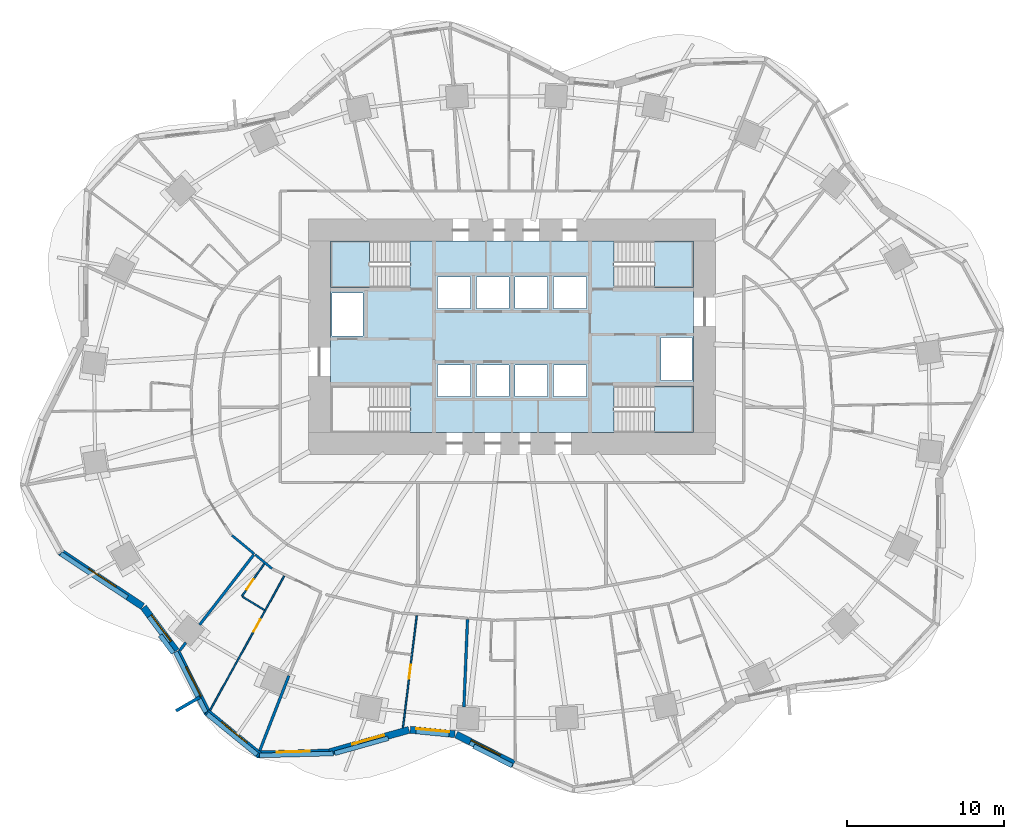
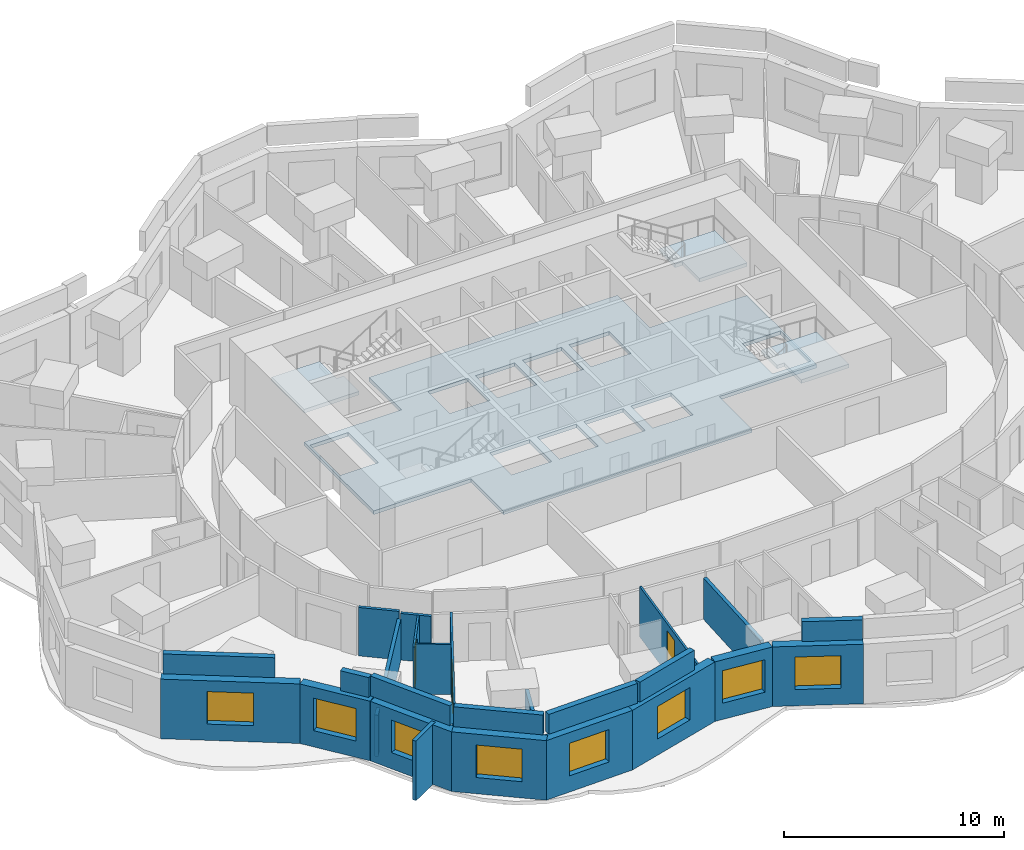
# One storey, part 3 of 12: 26 walls, 8 windows, 4 slabs, 3 doors, 11 openings, 3 elements without a shape of their own.
"""IFC4 building model written with IfcOpenShell, lengths in metres."""

from ifc_helpers import new_model, si_unit, direction, frame, frame_2d, origin, place, context, subcontext, project, spatial, polyline, rectangle, outline, extrude, material, layer, layer_set, type_object, element, fill, aggregate, save


model = new_model("IFC4")

# Units and contexts
model_context = context("Model", 3, precision=1e-05, world=origin(), true_north=direction((0.0, 1.0)))
body_context = subcontext(model_context, "Body", "Model", "MODEL_VIEW")
ifc_project = project(units=[si_unit("LENGTHUNIT", "METRE"), si_unit("AREAUNIT", "SQUARE_METRE"), si_unit("VOLUMEUNIT", "CUBIC_METRE"), si_unit("PLANEANGLEUNIT", "RADIAN"), si_unit("MASSUNIT", "GRAM", prefix="KILO")], contexts=[model_context])

# Site, building, storey
site_placement = place(None, origin())
site = spatial("IfcSite", under=ifc_project, at=site_placement, CompositionType="ELEMENT")
building_placement = place(site_placement, origin())
building = spatial("IfcBuilding", under=site, at=building_placement, Name="Rubra Terraces Tower", CompositionType="ELEMENT")
storey_placement = place(building_placement, frame((0.0, 0.0, 73.5)))
storey = spatial("IfcBuildingStorey", under=building, at=storey_placement, Name="L16", CompositionType="ELEMENT", Elevation=73.5)

# Slab
ifc_material_1 = material(Name="Concrete C40", Category="concrete")
ifc_layer_1 = layer(ifc_material_1, 0.199951171875)
ifc_layer_set_1 = layer_set([ifc_layer_1], Name="Concrete C40")
slab_type_1 = type_object("IfcSlabType", Name="Core floor slab 200 concrete", PredefinedType="FLOOR", material=ifc_layer_set_1)
slab_1_placement = place(storey_placement, frame((0.0, 0.0, -0.199951171875)))
element("IfcSlab", 1, at=slab_1_placement, inside=storey, type_object=slab_type_1, Name="CORE FLOOR SLAB L16", PredefinedType="FLOOR", context=body_context, shape_type="SweptSolid", body=[
    extrude(outline(polyline([(-11.60009765625, 1.347900390625), (-11.60009765625, 7.652099609375), (-6.501953125, 7.652099609375), (-6.501953125, 10.60009765625), (6.501953125, 10.60009765625), (6.501953125, 7.652099609375), (11.60009765625, 7.652099609375), (11.60009765625, 1.347900390625), (6.501953125, 1.347900390625), (6.501953125, -1.60009765625), (-6.501953125, -1.60009765625), (-6.501953125, 1.347900390625), (-11.60009765625, 1.347900390625)]), holes=[polyline([(9.5, 1.699951171875), (11.5, 1.699951171875), (11.5, 4.449951171875), (9.5, 4.449951171875), (9.5, 1.699951171875)]), polyline([(4.75, 0.699951171875), (4.75, 2.699951171875), (2.64990234375, 2.699951171875), (2.64990234375, 0.699951171875), (4.75, 0.699951171875)]), polyline([(4.75, 6.300048828125), (4.75, 8.300048828125), (2.64990234375, 8.300048828125), (2.64990234375, 6.300048828125), (4.75, 6.300048828125)]), polyline([(2.25, 0.699951171875), (2.25, 2.699951171875), (0.199951171875, 2.699951171875), (0.199951171875, 0.699951171875), (2.25, 0.699951171875)]), polyline([(2.25, 6.300048828125), (2.25, 8.300048828125), (0.199951171875, 8.300048828125), (0.199951171875, 6.300048828125), (2.25, 6.300048828125)]), polyline([(-0.199951171875, 0.699951171875), (-0.199951171875, 2.699951171875), (-2.25, 2.699951171875), (-2.25, 0.699951171875), (-0.199951171875, 0.699951171875)]), polyline([(-0.199951171875, 6.300048828125), (-0.199951171875, 8.300048828125), (-2.25, 8.300048828125), (-2.25, 6.300048828125), (-0.199951171875, 6.300048828125)]), polyline([(-2.64990234375, 0.699951171875), (-2.64990234375, 2.699951171875), (-4.75, 2.699951171875), (-4.75, 0.699951171875), (-2.64990234375, 0.699951171875)]), polyline([(-2.64990234375, 8.300048828125), (-4.75, 8.300048828125), (-4.75, 6.300048828125), (-2.64990234375, 6.300048828125), (-2.64990234375, 8.300048828125)]), polyline([(-9.5, 7.300048828125), (-11.5, 7.300048828125), (-11.5, 4.550048828125), (-9.5, 4.550048828125), (-9.5, 7.300048828125)])]), origin(), (0.0, 0.0, 1.0), 0.199951171875),
])

# Stair, slab
stair_type = type_object("IfcStairType", Name="Core stair 1400", PredefinedType="HALF_TURN_STAIR", material=ifc_material_1)
stair_1_placement = place(storey_placement, origin())
stair_1 = element("IfcStair", 2, at=stair_1_placement, inside=storey, type_object=stair_type, Name="L16 Exit stair S2", PredefinedType="HALF_TURN_STAIR")
ifc_layer_2 = layer(ifc_material_1, 0.199951171875)
ifc_layer_set_2 = layer_set([ifc_layer_2], Name="Concrete C40")
slab_type_2 = type_object("IfcSlabType", Name="Core stair landing 200", PredefinedType="LANDING", material=ifc_layer_set_2)
slab_2_placement = place(storey_placement, frame((0.0, 0.0, 1.60009765625)))
slab_2 = element("IfcSlab", 3, at=slab_2_placement, type_object=slab_type_2, Name="S2 landing 1", PredefinedType="LANDING", context=body_context, shape_type="SweptSolid", body=[
    extrude(outline(polyline([(-8.719970703125, 9.050048828125), (-8.719970703125, 7.64990234375), (-9.1201171875, 7.64990234375), (-11.60009765625, 7.64990234375), (-11.60009765625, 10.60009765625), (-9.1201171875, 10.60009765625), (-9.10009765625, 10.60009765625), (-9.097900390625, 10.60009765625), (-9.097900390625, 9.199951171875), (-9.10009765625, 9.199951171875), (-9.10009765625, 9.050048828125), (-8.719970703125, 9.050048828125)])), origin(), (0.0, 0.0, 1.0), 0.199951171875),
])
aggregate(stair_1, [slab_2])

stair_2_placement = place(storey_placement, origin())
stair_2 = element("IfcStair", 4, at=stair_2_placement, inside=storey, type_object=stair_type, Name="L16 Exit stair S3", PredefinedType="HALF_TURN_STAIR")
slab_3_placement = place(storey_placement, frame((0.0, 0.0, 1.60009765625)))
slab_3 = element("IfcSlab", 5, at=slab_3_placement, type_object=slab_type_2, Name="S3 landing 1", PredefinedType="LANDING", context=body_context, shape_type="SweptSolid", body=[
    extrude(outline(polyline([(9.10009765625, 9.050048828125), (9.10009765625, 9.199951171875), (8.719970703125, 9.199951171875), (8.719970703125, 10.60009765625), (9.10009765625, 10.60009765625), (9.1201171875, 10.60009765625), (11.60009765625, 10.60009765625), (11.60009765625, 7.64990234375), (9.1201171875, 7.64990234375), (9.097900390625, 7.64990234375), (9.097900390625, 9.050048828125), (9.10009765625, 9.050048828125)])), origin(), (0.0, 0.0, 1.0), 0.199951171875),
])
aggregate(stair_2, [slab_3])

stair_3_placement = place(storey_placement, origin())
stair_3 = element("IfcStair", 6, at=stair_3_placement, inside=storey, type_object=stair_type, Name="L16 Exit stair S4", PredefinedType="HALF_TURN_STAIR")
slab_4_placement = place(storey_placement, frame((0.0, 0.0, 1.60009765625)))
slab_4 = element("IfcSlab", 7, at=slab_4_placement, type_object=slab_type_2, Name="S4 landing 1", PredefinedType="LANDING", context=body_context, shape_type="SweptSolid", body=[
    extrude(outline(polyline([(9.10009765625, -0.199951171875), (9.10009765625, -0.050048828125), (8.719970703125, -0.050048828125), (8.719970703125, 1.35009765625), (9.10009765625, 1.35009765625), (9.1201171875, 1.35009765625), (11.60009765625, 1.35009765625), (11.60009765625, -1.60009765625), (9.1201171875, -1.60009765625), (9.10009765625, -1.60009765625), (9.097900390625, -1.60009765625), (9.097900390625, -0.199951171875), (9.10009765625, -0.199951171875)])), origin(), (0.0, 0.0, 1.0), 0.199951171875),
])
aggregate(stair_3, [slab_4])

# Walls
ifc_material_2 = material(Name="Twin plasterboard on staggered steel stud, acoustic mineral wool", Category="steel")
ifc_layer_3 = layer(ifc_material_2, 0.175048828125)
ifc_layer_set_3 = layer_set([ifc_layer_3], Name="Twin plasterboard on staggered steel stud, acoustic mineral wool")
wall_type_1 = type_object("IfcWallType", Name="ACOUSTIC PARTY WALL 175 LOW HEAD", PredefinedType="PARTITIONING", material=ifc_layer_set_3)
wall_1_placement = place(storey_placement, frame((-21.196533203125, -15.51513671875, 0.0), z_axis=(0.0, 0.0, 1.0), x_axis=(0.61138040292, 0.791336845424, 0.0)))
element("IfcWall", 8, at=wall_1_placement, inside=storey, type_object=wall_type_1, Name="PARTITION", PredefinedType="PARTITIONING", context=body_context, shape_type="SweptSolid", body=[
    extrude(rectangle(XDim=0.621337890625, YDim=0.175048828125, at=frame_2d((0.310546875, 0.0))), origin(), (0.0, 0.0, 1.0), 2.280029296875),
])
wall_2_placement = place(storey_placement, frame((-19.935546875, -13.883056640625, 0.0), z_axis=(0.0, 0.0, 1.0), x_axis=(0.611393230735, 0.791326934592, 0.0)))
element("IfcWall", 9, at=wall_2_placement, inside=storey, type_object=wall_type_1, Name="PARTITION", PredefinedType="PARTITIONING", context=body_context, shape_type="SweptSolid", body=[
    extrude(rectangle(XDim=5.633544921875, YDim=0.175048828125, at=frame_2d((2.81689453125, 0.0))), origin(), (0.0, 0.0, 1.0), 2.280029296875),
])
wall_3_placement = place(storey_placement, frame((-16.102294921875, -21.919921875, 0.0), z_axis=(0.0, 0.0, 1.0), x_axis=(0.362230530348, 0.932088538114, 0.0)))
element("IfcWall", 10, at=wall_3_placement, inside=storey, type_object=wall_type_1, Name="PARTITION", PredefinedType="PARTITIONING", context=body_context, shape_type="SweptSolid", body=[
    extrude(rectangle(XDim=5.1337890625, YDim=0.175048828125, at=frame_2d((2.56689453125, 0.0))), origin(), (0.0, 0.0, 1.0), 2.280029296875),
])
wall_4_placement = place(storey_placement, frame((-3.068603515625, -19.1201171875, 0.0), z_axis=(0.0, 0.0, 1.0), x_axis=(0.04093278692, 0.999161902274, 0.0)))
element("IfcWall", 11, at=wall_4_placement, inside=storey, type_object=wall_type_1, Name="PARTITION", PredefinedType="PARTITIONING", context=body_context, shape_type="SweptSolid", body=[
    extrude(rectangle(XDim=5.588623046875, YDim=0.175048828125, at=frame_2d((2.79443359375, 0.0))), origin(), (0.0, 0.0, 1.0), 2.280029296875),
])

# Wall, opening, window
ifc_material_3 = material(Name="Brick masonry red-brown", Category="masonry")
ifc_layer_4 = layer(ifc_material_3, 0.449951171875)
ifc_layer_set_4 = layer_set([ifc_layer_4], Name="Brick masonry red-brown")
wall_type_2 = type_object("IfcWallType", Name="Brick facade wall 450", PredefinedType="SOLIDWALL", material=ifc_layer_set_4)
wall_5_placement = place(storey_placement, frame((-28.85302734375, -9.227294921875, 0.0), z_axis=(0.0, 0.0, 1.0), x_axis=(0.834404370393, -0.551152743502, 0.0)))
wall_5 = element("IfcWall", 12, at=wall_5_placement, inside=storey, type_object=wall_type_2, Name="Facade wall L16 bay 23", PredefinedType="SOLIDWALL", context=body_context, shape_type="SweptSolid", body=[
    extrude(rectangle(XDim=6.329833984375, YDim=0.449951171875, at=frame_2d((3.1650390625, 0.0))), origin(), (0.0, 0.0, 1.0), 3.300048828125),
])
opening_1_placement = place(wall_5_placement, frame((2.114990234375, 0.0, 0.89990234375)))
opening_1 = element("IfcOpeningElement", 13, at=opening_1_placement, cuts=wall_5, Name="Opening W1Z", PredefinedType="OPENING", context=body_context, shape_type="SweptSolid", body=[
    extrude(rectangle(XDim=2.10009765625, YDim=1.800048828125, at=frame_2d((1.050048828125, 0.89990234375))), frame((0.0, 0.23486328125, 0.0), z_axis=(0.0, -1.0, 0.0), x_axis=(1.0, 0.0, 0.0)), (0.0, 0.0, 1.0), 0.469970703125),
])
ifc_material_4 = material(Name="Clear glass in aluminium frame", Category="aluminium")
window_type = type_object("IfcWindowType", Name="Fixed deep-set window under transfer level 2100 x 1800", PartitioningType="SINGLE_PANEL", PredefinedType="WINDOW", material=ifc_material_4)
window_1_placement = place(opening_1_placement, origin())
window_1 = element("IfcWindow", 14, at=window_1_placement, inside=storey, type_object=window_type, Name="Window L16 bay 23", OverallHeight=1.800048828125, OverallWidth=2.10009765625, PartitioningType="SINGLE_PANEL", PredefinedType="WINDOW", context=body_context, shape_type="SweptSolid", body=[
    extrude(rectangle(XDim=2.10009765625, YDim=1.800048828125, at=frame_2d((1.050048828125, 0.89990234375))), frame((0.0, 0.135009765625, 0.0), z_axis=(0.0, -1.0, 0.0), x_axis=(1.0, 0.0, 0.0)), (0.0, 0.0, 1.0), 0.06005859375),
])
fill(opening_1, window_1)

wall_6_placement = place(storey_placement, frame((-23.520263671875, -12.762451171875, 0.0), z_axis=(0.0, 0.0, 1.0), x_axis=(0.598664281495, -0.801000048728, 0.0)))
wall_6 = element("IfcWall", 15, at=wall_6_placement, inside=storey, type_object=wall_type_2, Name="Facade wall L16 bay 24", PredefinedType="SOLIDWALL", context=body_context, shape_type="SweptSolid", body=[
    extrude(rectangle(XDim=3.482177734375, YDim=0.449951171875, at=frame_2d((1.7412109375, 0.0))), origin(), (0.0, 0.0, 1.0), 3.300048828125),
])
opening_2_placement = place(wall_6_placement, frame((0.691162109375, 0.0, 0.89990234375)))
opening_2 = element("IfcOpeningElement", 16, at=opening_2_placement, cuts=wall_6, Name="Opening W1Z", PredefinedType="OPENING", context=body_context, shape_type="SweptSolid", body=[
    extrude(rectangle(XDim=2.10009765625, YDim=1.800048828125, at=frame_2d((1.050048828125, 0.89990234375))), frame((0.0, 0.23486328125, 0.0), z_axis=(0.0, -1.0, 0.0), x_axis=(1.0, 0.0, 0.0)), (0.0, 0.0, 1.0), 0.469970703125),
])
window_2_placement = place(opening_2_placement, origin())
window_2 = element("IfcWindow", 17, at=window_2_placement, inside=storey, type_object=window_type, Name="Window L16 bay 24", OverallHeight=1.800048828125, OverallWidth=2.10009765625, PartitioningType="SINGLE_PANEL", PredefinedType="WINDOW", context=body_context, shape_type="SweptSolid", body=[
    extrude(rectangle(XDim=2.10009765625, YDim=1.800048828125, at=frame_2d((1.050048828125, 0.89990234375))), frame((0.0, 0.135009765625, 0.0), z_axis=(0.0, -1.0, 0.0), x_axis=(1.0, 0.0, 0.0)), (0.0, 0.0, 1.0), 0.06005859375),
])
fill(opening_2, window_2)

wall_7_placement = place(storey_placement, frame((-21.41259765625, -15.586181640625, 0.0), z_axis=(0.0, 0.0, 1.0), x_axis=(0.449428064685, -0.893316525467, 0.0)))
wall_7 = element("IfcWall", 18, at=wall_7_placement, inside=storey, type_object=wall_type_2, Name="Facade wall L16 bay 25", PredefinedType="SOLIDWALL", context=body_context, shape_type="SweptSolid", body=[
    extrude(rectangle(XDim=4.4072265625, YDim=0.449951171875, at=frame_2d((2.20361328125, 0.0))), origin(), (0.0, 0.0, 1.0), 3.300048828125),
])
opening_3_placement = place(wall_7_placement, frame((1.153564453125, 0.0, 0.89990234375)))
opening_3 = element("IfcOpeningElement", 19, at=opening_3_placement, cuts=wall_7, Name="Opening W1Z", PredefinedType="OPENING", context=body_context, shape_type="SweptSolid", body=[
    extrude(rectangle(XDim=2.10009765625, YDim=1.800048828125, at=frame_2d((1.050048828125, 0.89990234375))), frame((0.0, 0.23486328125, 0.0), z_axis=(0.0, -1.0, 0.0), x_axis=(1.0, 0.0, 0.0)), (0.0, 0.0, 1.0), 0.469970703125),
])
window_3_placement = place(opening_3_placement, origin())
window_3 = element("IfcWindow", 20, at=window_3_placement, inside=storey, type_object=window_type, Name="Window L16 bay 25", OverallHeight=1.800048828125, OverallWidth=2.10009765625, PartitioningType="SINGLE_PANEL", PredefinedType="WINDOW", context=body_context, shape_type="SweptSolid", body=[
    extrude(rectangle(XDim=2.10009765625, YDim=1.800048828125, at=frame_2d((1.050048828125, 0.89990234375))), frame((0.0, 0.135009765625, 0.0), z_axis=(0.0, -1.0, 0.0), x_axis=(1.0, 0.0, 0.0)), (0.0, 0.0, 1.0), 0.06005859375),
])
fill(opening_3, window_3)

wall_8_placement = place(storey_placement, frame((-19.48779296875, -19.45556640625, 0.0), z_axis=(0.0, 0.0, 1.0), x_axis=(0.775096506427, -0.631842864741, 0.0)))
wall_8 = element("IfcWall", 21, at=wall_8_placement, inside=storey, type_object=wall_type_2, Name="Facade wall L16 bay 26", PredefinedType="SOLIDWALL", context=body_context, shape_type="SweptSolid", body=[
    extrude(rectangle(XDim=4.349365234375, YDim=0.449951171875, at=frame_2d((2.1748046875, 0.0))), origin(), (0.0, 0.0, 1.0), 3.300048828125),
])
opening_4_placement = place(wall_8_placement, frame((1.12451171875, 0.0, 0.89990234375)))
opening_4 = element("IfcOpeningElement", 22, at=opening_4_placement, cuts=wall_8, Name="Opening W1Z", PredefinedType="OPENING", context=body_context, shape_type="SweptSolid", body=[
    extrude(rectangle(XDim=2.10009765625, YDim=1.800048828125, at=frame_2d((1.050048828125, 0.89990234375))), frame((0.0, 0.23486328125, 0.0), z_axis=(0.0, -1.0, 0.0), x_axis=(1.0, 0.0, 0.0)), (0.0, 0.0, 1.0), 0.469970703125),
])
window_4_placement = place(opening_4_placement, origin())
window_4 = element("IfcWindow", 23, at=window_4_placement, inside=storey, type_object=window_type, Name="Window L16 bay 26", OverallHeight=1.800048828125, OverallWidth=2.10009765625, PartitioningType="SINGLE_PANEL", PredefinedType="WINDOW", context=body_context, shape_type="SweptSolid", body=[
    extrude(rectangle(XDim=2.10009765625, YDim=1.800048828125, at=frame_2d((1.050048828125, 0.89990234375))), frame((0.0, 0.135009765625, 0.0), z_axis=(0.0, -1.0, 0.0), x_axis=(1.0, 0.0, 0.0)), (0.0, 0.0, 1.0), 0.06005859375),
])
fill(opening_4, window_4)

wall_9_placement = place(storey_placement, frame((-16.264892578125, -22.153076171875, 0.0), z_axis=(0.0, 0.0, 1.0), x_axis=(0.999672618135, 0.025586257081, 0.0)))
wall_9 = element("IfcWall", 24, at=wall_9_placement, inside=storey, type_object=wall_type_2, Name="Facade wall L16 bay 27", PredefinedType="SOLIDWALL", context=body_context, shape_type="SweptSolid", body=[
    extrude(rectangle(XDim=4.589599609375, YDim=0.449951171875, at=frame_2d((2.294921875, 0.0))), origin(), (0.0, 0.0, 1.0), 3.300048828125),
])
opening_5_placement = place(wall_9_placement, frame((1.244873046875, 0.0, 0.89990234375)))
opening_5 = element("IfcOpeningElement", 25, at=opening_5_placement, cuts=wall_9, Name="Opening W1Z", PredefinedType="OPENING", context=body_context, shape_type="SweptSolid", body=[
    extrude(rectangle(XDim=2.10009765625, YDim=1.800048828125, at=frame_2d((1.050048828125, 0.89990234375))), frame((0.0, 0.23486328125, 0.0), z_axis=(0.0, -1.0, 0.0), x_axis=(1.0, 0.0, 0.0)), (0.0, 0.0, 1.0), 0.469970703125),
])
window_5_placement = place(opening_5_placement, origin())
window_5 = element("IfcWindow", 26, at=window_5_placement, inside=storey, type_object=window_type, Name="Window L16 bay 27", OverallHeight=1.800048828125, OverallWidth=2.10009765625, PartitioningType="SINGLE_PANEL", PredefinedType="WINDOW", context=body_context, shape_type="SweptSolid", body=[
    extrude(rectangle(XDim=2.10009765625, YDim=1.800048828125, at=frame_2d((1.050048828125, 0.89990234375))), frame((0.0, 0.135009765625, 0.0), z_axis=(0.0, -1.0, 0.0), x_axis=(1.0, 0.0, 0.0)), (0.0, 0.0, 1.0), 0.06005859375),
])
fill(opening_5, window_5)

wall_10_placement = place(storey_placement, frame((-11.73193359375, -22.0439453125, 0.0), z_axis=(0.0, 0.0, 1.0), x_axis=(0.962535416232, 0.271155992925, 0.0)))
wall_10 = element("IfcWall", 27, at=wall_10_placement, inside=storey, type_object=wall_type_2, Name="Facade wall L16 bay 28", PredefinedType="SOLIDWALL", context=body_context, shape_type="SweptSolid", body=[
    extrude(rectangle(XDim=5.357177734375, YDim=0.449951171875, at=frame_2d((2.6787109375, 0.0))), origin(), (0.0, 0.0, 1.0), 3.300048828125),
])
opening_6_placement = place(wall_10_placement, frame((1.628662109375, 0.0, 0.89990234375)))
opening_6 = element("IfcOpeningElement", 28, at=opening_6_placement, cuts=wall_10, Name="Opening W1Z", PredefinedType="OPENING", context=body_context, shape_type="SweptSolid", body=[
    extrude(rectangle(XDim=2.10009765625, YDim=1.800048828125, at=frame_2d((1.050048828125, 0.89990234375))), frame((0.0, 0.23486328125, 0.0), z_axis=(0.0, -1.0, 0.0), x_axis=(1.0, 0.0, 0.0)), (0.0, 0.0, 1.0), 0.469970703125),
])
window_6_placement = place(opening_6_placement, origin())
window_6 = element("IfcWindow", 29, at=window_6_placement, inside=storey, type_object=window_type, Name="Window L16 bay 28", OverallHeight=1.800048828125, OverallWidth=2.10009765625, PartitioningType="SINGLE_PANEL", PredefinedType="WINDOW", context=body_context, shape_type="SweptSolid", body=[
    extrude(rectangle(XDim=2.10009765625, YDim=1.800048828125, at=frame_2d((1.050048828125, 0.89990234375))), frame((0.0, 0.135009765625, 0.0), z_axis=(0.0, -1.0, 0.0), x_axis=(1.0, 0.0, 0.0)), (0.0, 0.0, 1.0), 0.06005859375),
])
fill(opening_6, window_6)

wall_11_placement = place(storey_placement, frame((-6.4921875, -20.583984375, 0.0), z_axis=(0.0, 0.0, 1.0), x_axis=(0.995123748575, -0.098634299418, 0.0)))
wall_11 = element("IfcWall", 30, at=wall_11_placement, inside=storey, type_object=wall_type_2, Name="Facade wall L16 bay 29", PredefinedType="SOLIDWALL", context=body_context, shape_type="SweptSolid", body=[
    extrude(rectangle(XDim=2.86376953125, YDim=0.449951171875, at=frame_2d((1.431884765625, 0.0))), origin(), (0.0, 0.0, 1.0), 3.300048828125),
])
opening_7_placement = place(wall_11_placement, frame((0.3818359375, 0.0, 0.89990234375)))
opening_7 = element("IfcOpeningElement", 31, at=opening_7_placement, cuts=wall_11, Name="Opening W1Z", PredefinedType="OPENING", context=body_context, shape_type="SweptSolid", body=[
    extrude(rectangle(XDim=2.10009765625, YDim=1.800048828125, at=frame_2d((1.050048828125, 0.89990234375))), frame((0.0, 0.23486328125, 0.0), z_axis=(0.0, -1.0, 0.0), x_axis=(1.0, 0.0, 0.0)), (0.0, 0.0, 1.0), 0.469970703125),
])
window_7_placement = place(opening_7_placement, origin())
window_7 = element("IfcWindow", 32, at=window_7_placement, inside=storey, type_object=window_type, Name="Window L16 bay 29", OverallHeight=1.800048828125, OverallWidth=2.10009765625, PartitioningType="SINGLE_PANEL", PredefinedType="WINDOW", context=body_context, shape_type="SweptSolid", body=[
    extrude(rectangle(XDim=2.10009765625, YDim=1.800048828125, at=frame_2d((1.050048828125, 0.89990234375))), frame((0.0, 0.135009765625, 0.0), z_axis=(0.0, -1.0, 0.0), x_axis=(1.0, 0.0, 0.0)), (0.0, 0.0, 1.0), 0.06005859375),
])
fill(opening_7, window_7)

wall_12_placement = place(storey_placement, frame((-3.564208984375, -20.888916015625, 0.0), z_axis=(0.0, 0.0, 1.0), x_axis=(0.891033634447, -0.453937288933, 0.0)))
wall_12 = element("IfcWall", 33, at=wall_12_placement, inside=storey, type_object=wall_type_2, Name="Facade wall L16 bay 30", PredefinedType="SOLIDWALL", context=body_context, shape_type="SweptSolid", body=[
    extrude(rectangle(XDim=4.131591796875, YDim=0.449951171875, at=frame_2d((2.06591796875, 0.0))), origin(), (0.0, 0.0, 1.0), 3.300048828125),
])
opening_8_placement = place(wall_12_placement, frame((1.015869140625, 0.0, 0.89990234375)))
opening_8 = element("IfcOpeningElement", 34, at=opening_8_placement, cuts=wall_12, Name="Opening W1Z", PredefinedType="OPENING", context=body_context, shape_type="SweptSolid", body=[
    extrude(rectangle(XDim=2.10009765625, YDim=1.800048828125, at=frame_2d((1.050048828125, 0.89990234375))), frame((0.0, 0.23486328125, 0.0), z_axis=(0.0, -1.0, 0.0), x_axis=(1.0, 0.0, 0.0)), (0.0, 0.0, 1.0), 0.469970703125),
])
window_8_placement = place(opening_8_placement, origin())
window_8 = element("IfcWindow", 35, at=window_8_placement, inside=storey, type_object=window_type, Name="Window L16 bay 30", OverallHeight=1.800048828125, OverallWidth=2.10009765625, PartitioningType="SINGLE_PANEL", PredefinedType="WINDOW", context=body_context, shape_type="SweptSolid", body=[
    extrude(rectangle(XDim=2.10009765625, YDim=1.800048828125, at=frame_2d((1.050048828125, 0.89990234375))), frame((0.0, 0.135009765625, 0.0), z_axis=(0.0, -1.0, 0.0), x_axis=(1.0, 0.0, 0.0)), (0.0, 0.0, 1.0), 0.06005859375),
])
fill(opening_8, window_8)

# Walls
ifc_layer_5 = layer(ifc_material_3, 0.300048828125)
ifc_layer_set_5 = layer_set([ifc_layer_5], Name="Brick masonry red-brown")
wall_type_3 = type_object("IfcWallType", Name="Brick parapet 300", PredefinedType="PARAPET", material=ifc_layer_set_5)
wall_13_placement = place(storey_placement, frame((-28.80712890625, -9.347412109375, 3.60009765625), z_axis=(0.0, 0.0, 1.0), x_axis=(0.834390896723, -0.551173141097, 0.0)))
element("IfcWall", 36, at=wall_13_placement, inside=storey, type_object=wall_type_3, Name="Parapet L16 bay 23", PredefinedType="PARAPET", context=body_context, shape_type="SweptSolid", body=[
    extrude(rectangle(XDim=5.0869140625, YDim=0.300048828125, at=frame_2d((2.54345703125, 0.0))), origin(), (0.0, 0.0, 1.0), 1.099853515625),
])
wall_14_placement = place(storey_placement, frame((-22.46142578125, -14.5546875, 3.60009765625), z_axis=(0.0, 0.0, 1.0), x_axis=(0.598672247422, -0.800994094964, 0.0)))
element("IfcWall", 37, at=wall_14_placement, inside=storey, type_object=wall_type_3, Name="Parapet L16 bay 24", PredefinedType="PARAPET", context=body_context, shape_type="SweptSolid", body=[
    extrude(rectangle(XDim=1.4130859375, YDim=0.300048828125, at=frame_2d((0.70654296875, 0.0))), origin(), (0.0, 0.0, 1.0), 1.099853515625),
])
wall_15_placement = place(storey_placement, frame((-21.478515625, -15.621826171875, 3.60009765625), z_axis=(0.0, 0.0, 1.0), x_axis=(0.44940640722, -0.893327421022, 0.0)))
element("IfcWall", 38, at=wall_15_placement, inside=storey, type_object=wall_type_3, Name="Parapet L16 bay 25", PredefinedType="PARAPET", context=body_context, shape_type="SweptSolid", body=[
    extrude(rectangle(XDim=4.317138671875, YDim=0.300048828125, at=frame_2d((2.15869140625, 0.0))), origin(), (0.0, 0.0, 1.0), 1.099853515625),
])
wall_16_placement = place(storey_placement, frame((-19.46240234375, -19.572998046875, 3.60009765625), z_axis=(0.0, 0.0, 1.0), x_axis=(0.775069211455, -0.631876346649, 0.0)))
element("IfcWall", 39, at=wall_16_placement, inside=storey, type_object=wall_type_3, Name="Parapet L16 bay 26", PredefinedType="PARAPET", context=body_context, shape_type="SweptSolid", body=[
    extrude(rectangle(XDim=4.114013671875, YDim=0.300048828125, at=frame_2d((2.05712890625, 0.0))), origin(), (0.0, 0.0, 1.0), 1.099853515625),
])
wall_17_placement = place(storey_placement, frame((-16.121826171875, -22.224365234375, 3.60009765625), z_axis=(0.0, 0.0, 1.0), x_axis=(0.999672688687, 0.025583500399, 0.0)))
element("IfcWall", 40, at=wall_17_placement, inside=storey, type_object=wall_type_3, Name="Parapet L16 bay 27", PredefinedType="PARAPET", context=body_context, shape_type="SweptSolid", body=[
    extrude(rectangle(XDim=4.714111328125, YDim=0.300048828125, at=frame_2d((2.35693359375, 0.0))), origin(), (0.0, 0.0, 1.0), 1.099853515625),
])
wall_18_placement = place(storey_placement, frame((-11.313720703125, -22.08935546875, 3.60009765625), z_axis=(0.0, 0.0, 1.0), x_axis=(0.962527541074, 0.271183946195, 0.0)))
element("IfcWall", 41, at=wall_18_placement, inside=storey, type_object=wall_type_3, Name="Parapet L16 bay 28", PredefinedType="PARAPET", context=body_context, shape_type="SweptSolid", body=[
    extrude(rectangle(XDim=3.548095703125, YDim=0.300048828125, at=frame_2d((1.77392578125, 0.0))), origin(), (0.0, 0.0, 1.0), 1.099853515625),
])
wall_19_placement = place(storey_placement, frame((-2.448486328125, -21.62744140625, 3.60009765625), z_axis=(0.0, 0.0, 1.0), x_axis=(0.891061751317, -0.453882094095, 0.0)))
element("IfcWall", 42, at=wall_19_placement, inside=storey, type_object=wall_type_3, Name="Parapet L16 bay 30", PredefinedType="PARAPET", context=body_context, shape_type="SweptSolid", body=[
    extrude(rectangle(XDim=2.7626953125, YDim=0.300048828125, at=frame_2d((1.38134765625, 0.0))), origin(), (0.0, 0.0, 1.0), 1.099853515625),
])
ifc_layer_6 = layer(ifc_material_3, 0.199951171875)
ifc_layer_set_6 = layer_set([ifc_layer_6], Name="Brick masonry red-brown")
wall_type_4 = type_object("IfcWallType", Name="Brick wind fin 200", PredefinedType="SOLIDWALL", material=ifc_layer_set_6)
wall_20_placement = place(storey_placement, frame((-19.927978515625, -18.50390625, 0.0), z_axis=(0.0, 0.0, 1.0), x_axis=(-0.865881186914, -0.500249707794, 0.0)))
element("IfcWall", 43, at=wall_20_placement, inside=storey, type_object=wall_type_4, Name="Wind fin L16 15", PredefinedType="SOLIDWALL", context=body_context, shape_type="SweptSolid", body=[
    extrude(rectangle(XDim=1.75, YDim=0.199951171875, at=frame_2d((0.875, 0.0))), origin(), (0.0, 0.0, 1.0), 3.300048828125),
])
ifc_material_5 = material(Name="Plasterboard on steel stud, mineral wool infill", Category="steel")
ifc_layer_7 = layer(ifc_material_5, 0.14990234375)
ifc_layer_set_7 = layer_set([ifc_layer_7], Name="Plasterboard on steel stud, mineral wool infill")
wall_type_5 = type_object("IfcWallType", Name="CORRIDOR PARTITION 150", PredefinedType="PARTITIONING", material=ifc_layer_set_7)
wall_21_placement = place(storey_placement, frame((-17.88037109375, -8.17431640625, 0.0), z_axis=(0.0, 0.0, 1.0), x_axis=(0.769400173999, -0.638767071983, 0.0)))
element("IfcWall", 44, at=wall_21_placement, inside=storey, type_object=wall_type_5, Name="PARTITION", PredefinedType="PARTITIONING", context=body_context, shape_type="SweptSolid", body=[
    extrude(rectangle(XDim=1.865234375, YDim=0.14990234375, at=frame_2d((0.9326171875, 0.0))), origin(), (0.0, 0.0, 1.0), 2.68408203125),
])
ifc_layer_8 = layer(ifc_material_5, 0.14990234375)
ifc_layer_set_8 = layer_set([ifc_layer_8], Name="Plasterboard on steel stud, mineral wool infill")
wall_type_6 = type_object("IfcWallType", Name="CORRIDOR PARTITION 150 LOW HEAD", PredefinedType="PARTITIONING", material=ifc_layer_set_8)
wall_22_placement = place(storey_placement, frame((-16.3876953125, -9.41357421875, 0.0), z_axis=(0.0, 0.0, 1.0), x_axis=(0.76933395119, -0.638846829487, 0.0)))
element("IfcWall", 45, at=wall_22_placement, inside=storey, type_object=wall_type_6, Name="PARTITION", PredefinedType="PARTITIONING", context=body_context, shape_type="SweptSolid", body=[
    extrude(rectangle(XDim=1.4013671875, YDim=0.14990234375, at=frame_2d((0.70068359375, 0.0))), origin(), (0.0, 0.0, 1.0), 2.580078125),
])

# Wall, opening, door
ifc_material_6 = material(Name="Plasterboard on steel stud", Category="steel")
ifc_layer_9 = layer(ifc_material_6, 0.10009765625)
ifc_layer_set_9 = layer_set([ifc_layer_9], Name="Plasterboard on steel stud")
wall_type_7 = type_object("IfcWallType", Name="ROOM PARTITION 100", PredefinedType="PARTITIONING", material=ifc_layer_set_9)
wall_23_placement = place(storey_placement, frame((-19.269287109375, -19.337158203125, 0.0), z_axis=(0.0, 0.0, 1.0), x_axis=(0.483529323195, 0.875328163383, 0.0)))
wall_23 = element("IfcWall", 46, at=wall_23_placement, inside=storey, type_object=wall_type_7, Name="PARTITION", PredefinedType="PARTITIONING", context=body_context, shape_type="SweptSolid", body=[
    extrude(rectangle(XDim=9.79443359375, YDim=0.10009765625, at=frame_2d((4.897216796875, 0.0))), origin(), (0.0, 0.0, 1.0), 2.783935546875),
])
opening_9_placement = place(wall_23_placement, frame((5.718994140625, 0.0, 0.0)))
opening_9 = element("IfcOpeningElement", 47, at=opening_9_placement, cuts=wall_23, Name="Opening 16-115", PredefinedType="OPENING", context=body_context, shape_type="SweptSolid", body=[
    extrude(rectangle(XDim=0.89990234375, YDim=2.39990234375, at=frame_2d((0.449951171875, 1.199951171875))), frame((0.0, 0.06005859375, 0.0), z_axis=(0.0, -1.0, 0.0), x_axis=(1.0, 0.0, 0.0)), (0.0, 0.0, 1.0), 0.1201171875),
])
ifc_material_7 = material(Name="Veneered timber door leaf, fire-rated", Category="wood")
door_type_1 = type_object("IfcDoorType", Name="SUITE ENTRANCE DOOR 900 X 2400", OperationType="SINGLE_SWING_LEFT", PredefinedType="DOOR", material=ifc_material_7)
door_1_placement = place(opening_9_placement, origin())
door_1 = element("IfcDoor", 48, at=door_1_placement, inside=storey, type_object=door_type_1, Name="DOOR 16-115", OperationType="SINGLE_SWING_LEFT", OverallHeight=2.39990234375, OverallWidth=0.89990234375, PredefinedType="DOOR", context=body_context, shape_type="SweptSolid", body=[
    extrude(rectangle(XDim=0.89990234375, YDim=2.39990234375, at=frame_2d((0.449951171875, 1.199951171875))), frame((0.0, 0.02490234375, 0.0), z_axis=(0.0, -1.0, 0.0), x_axis=(1.0, 0.0, 0.0)), (0.0, 0.0, 1.0), 0.050048828125),
])
fill(opening_9, door_1)

# Wall
wall_24_placement = place(storey_placement, frame((-17.198486328125, -12.09619140625, 0.0), z_axis=(0.0, 0.0, 1.0), x_axis=(0.85445715852, -0.51952186119, 0.0)))
element("IfcWall", 49, at=wall_24_placement, inside=storey, type_object=wall_type_7, Name="PARTITION", PredefinedType="PARTITIONING", context=body_context, shape_type="SweptSolid", body=[
    extrude(rectangle(XDim=1.64013671875, YDim=0.10009765625, at=frame_2d((0.820068359375, 0.0))), origin(), (0.0, 0.0, 1.0), 2.783935546875),
])

# Wall, opening, door
wall_25_placement = place(storey_placement, frame((-6.959716796875, -20.461669921875, 0.0), z_axis=(0.0, 0.0, 1.0), x_axis=(0.122329787854, 0.992489507755, 0.0)))
wall_25 = element("IfcWall", 50, at=wall_25_placement, inside=storey, type_object=wall_type_7, Name="PARTITION", PredefinedType="PARTITIONING", context=body_context, shape_type="SweptSolid", body=[
    extrude(rectangle(XDim=7.2265625, YDim=0.10009765625, at=frame_2d((3.61328125, 0.0))), origin(), (0.0, 0.0, 1.0), 2.783935546875),
])
opening_10_placement = place(wall_25_placement, frame((3.152099609375, 0.0, 0.0)))
opening_10 = element("IfcOpeningElement", 51, at=opening_10_placement, cuts=wall_25, Name="Opening 16-118", PredefinedType="OPENING", context=body_context, shape_type="SweptSolid", body=[
    extrude(rectangle(XDim=0.89990234375, YDim=2.39990234375, at=frame_2d((0.449951171875, 1.199951171875))), frame((0.0, 0.06005859375, 0.0), z_axis=(0.0, -1.0, 0.0), x_axis=(1.0, 0.0, 0.0)), (0.0, 0.0, 1.0), 0.1201171875),
])
door_2_placement = place(opening_10_placement, origin())
door_2 = element("IfcDoor", 52, at=door_2_placement, inside=storey, type_object=door_type_1, Name="DOOR 16-118", OperationType="SINGLE_SWING_LEFT", OverallHeight=2.39990234375, OverallWidth=0.89990234375, PredefinedType="DOOR", context=body_context, shape_type="SweptSolid", body=[
    extrude(rectangle(XDim=0.89990234375, YDim=2.39990234375, at=frame_2d((0.449951171875, 1.199951171875))), frame((0.0, 0.02490234375, 0.0), z_axis=(0.0, -1.0, 0.0), x_axis=(1.0, 0.0, 0.0)), (0.0, 0.0, 1.0), 0.050048828125),
])
fill(opening_10, door_2)

ifc_layer_10 = layer(ifc_material_6, 0.10009765625)
ifc_layer_set_10 = layer_set([ifc_layer_10], Name="Plasterboard on steel stud")
wall_type_8 = type_object("IfcWallType", Name="ROOM PARTITION 100 LOW HEAD", PredefinedType="PARTITIONING", material=ifc_layer_set_10)
wall_26_placement = place(storey_placement, frame((-15.812744140625, -9.988037109375, 0.0), z_axis=(0.0, 0.0, 1.0), x_axis=(-0.565740671071, -0.824583223875, 0.0)))
wall_26 = element("IfcWall", 53, at=wall_26_placement, inside=storey, type_object=wall_type_8, Name="PARTITION", PredefinedType="PARTITIONING", context=body_context, shape_type="SweptSolid", body=[
    extrude(rectangle(XDim=2.52490234375, YDim=0.10009765625, at=frame_2d((1.262451171875, 0.0))), origin(), (0.0, 0.0, 1.0), 2.580078125),
])
opening_11_placement = place(wall_26_placement, frame((1.199951171875, 0.0, 0.0)))
opening_11 = element("IfcOpeningElement", 54, at=opening_11_placement, cuts=wall_26, Name="Opening 16-114", PredefinedType="OPENING", context=body_context, shape_type="SweptSolid", body=[
    extrude(rectangle(XDim=0.800048828125, YDim=2.10009765625, at=frame_2d((0.39990234375, 1.050048828125))), frame((0.0, 0.06005859375, 0.0), z_axis=(0.0, -1.0, 0.0), x_axis=(1.0, 0.0, 0.0)), (0.0, 0.0, 1.0), 0.1201171875),
])
ifc_material_8 = material(Name="Painted timber door leaf", Category="wood")
door_type_2 = type_object("IfcDoorType", Name="BATHROOM DOOR 800 X 2100", OperationType="SINGLE_SWING_LEFT", PredefinedType="DOOR", material=ifc_material_8)
door_3_placement = place(opening_11_placement, origin())
door_3 = element("IfcDoor", 55, at=door_3_placement, inside=storey, type_object=door_type_2, Name="DOOR 16-114", OperationType="SINGLE_SWING_LEFT", OverallHeight=2.10009765625, OverallWidth=0.800048828125, PredefinedType="DOOR", context=body_context, shape_type="SweptSolid", body=[
    extrude(rectangle(XDim=0.800048828125, YDim=2.10009765625, at=frame_2d((0.39990234375, 1.050048828125))), frame((0.0, 0.02490234375, 0.0), z_axis=(0.0, -1.0, 0.0), x_axis=(1.0, 0.0, 0.0)), (0.0, 0.0, 1.0), 0.050048828125),
])
fill(opening_11, door_3)

save(model, "model.ifc")
